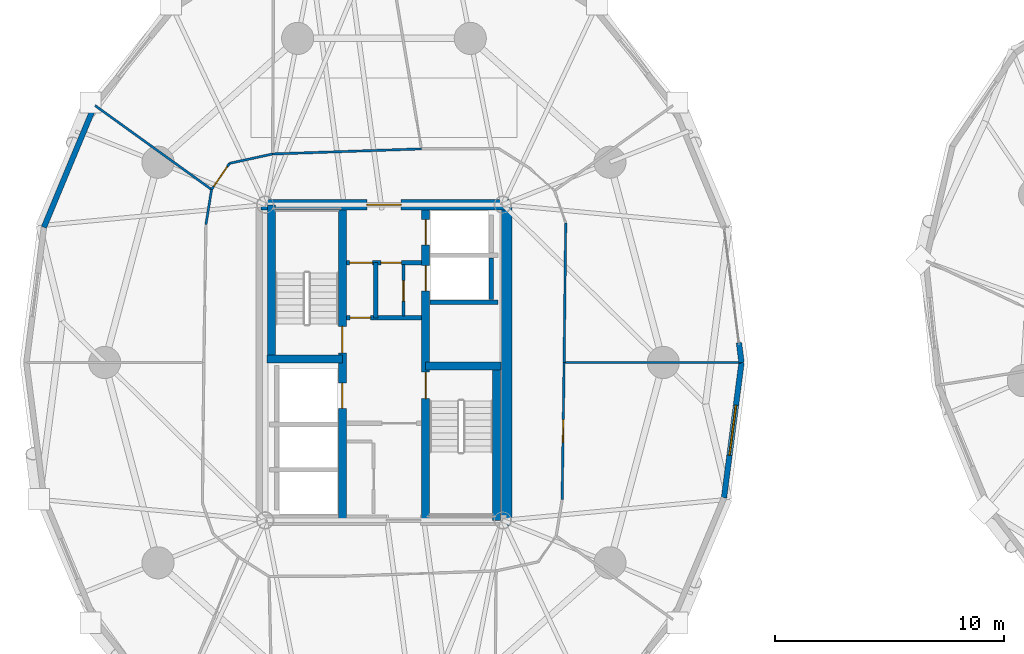
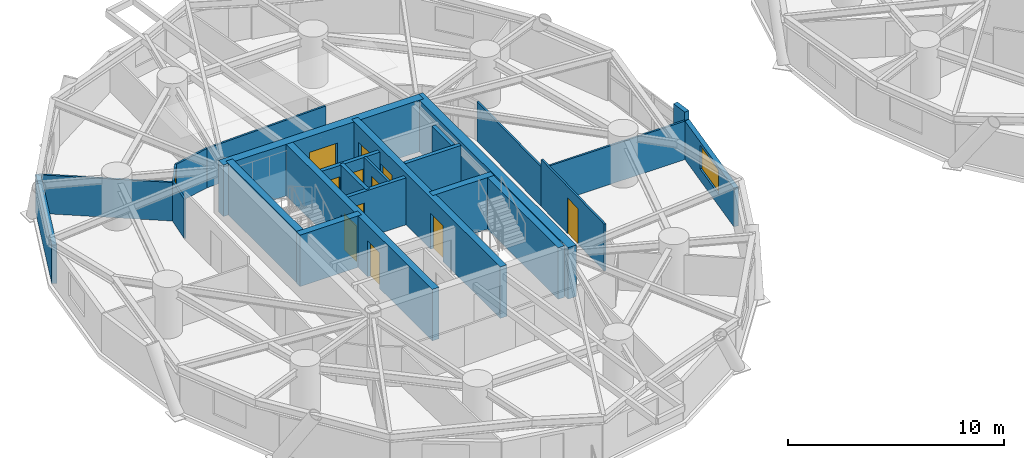
# One storey, part 11 of 18: 25 walls, 12 doors, 1 window, 13 openings.
"""IFC4 building model written with IfcOpenShell, lengths in metres."""

from ifc_helpers import new_model, si_unit, direction, frame, frame_2d, origin, place, context, subcontext, project, spatial, rectangle, extrude, source, transform, mapped, material, layer, layer_set, type_object, element, fill, save


model = new_model("IFC4")

# Units and contexts
model_context = context("Model", 3, precision=1e-05, world=origin(), true_north=direction((0.0, 1.0)))
body_context = subcontext(model_context, "Body", "Model", "MODEL_VIEW")
ifc_project = project(units=[si_unit("LENGTHUNIT", "METRE"), si_unit("AREAUNIT", "SQUARE_METRE"), si_unit("VOLUMEUNIT", "CUBIC_METRE"), si_unit("PLANEANGLEUNIT", "RADIAN"), si_unit("MASSUNIT", "GRAM", prefix="KILO")], contexts=[model_context])

# Site, building, storey
site_placement = place(None, origin())
site = spatial("IfcSite", under=ifc_project, at=site_placement, CompositionType="ELEMENT")
building_placement = place(site_placement, origin())
building = spatial("IfcBuilding", under=site, at=building_placement, Name="Cununo Teusaquillo Station Towers", CompositionType="ELEMENT")
storey_placement = place(building_placement, frame((0.0, 0.0, 102.159912109375)))
storey = spatial("IfcBuildingStorey", under=building, at=storey_placement, Name="L32", CompositionType="ELEMENT", Elevation=102.159912109375)

# Walls
ifc_material_1 = material(Name="Concrete C50/60", Category="concrete")
ifc_layer_1 = layer(ifc_material_1, 0.199951171875)
ifc_layer_set_1 = layer_set([ifc_layer_1], Name="Concrete C50/60")
wall_type_1 = type_object("IfcWallType", Name="WL-CORE-200", PredefinedType="SHEAR", material=ifc_layer_set_1)
wall_1_placement = place(storey_placement, frame((18.510009765625, 27.1298828125, 0.0), z_axis=(0.0, 0.0, 1.0), x_axis=(1.0, 0.0, 0.0)))
element("IfcWall", 1, at=wall_1_placement, inside=storey, type_object=wall_type_1, Name="L32 Tower A Low-Rise Lift Hoistway South Shear Wall", PredefinedType="SHEAR", context=body_context, shape_type="SweptSolid", body=[
    extrude(rectangle(XDim=2.969970703125, YDim=0.199951171875, at=frame_2d((1.48486328125, 0.0))), origin(), (0.0, 0.0, 1.0), 2.91015625),
])
wall_2_placement = place(storey_placement, frame((21.179931640625, 27.25, 0.0), z_axis=(0.0, 0.0, 1.0), x_axis=(0.0, 1.0, 0.0)))
element("IfcWall", 2, at=wall_2_placement, inside=storey, type_object=wall_type_1, Name="L32 Tower A Low-Rise Lift 1 Shaft Rear Shear Wall", PredefinedType="SHEAR", context=body_context, shape_type="SweptSolid", body=[
    extrude(rectangle(XDim=1.804931640625, YDim=0.199951171875, at=frame_2d((0.90234375, 0.0))), origin(), (0.0, 0.0, 1.0), 2.91015625),
])

# Wall, openings, doors
ifc_material_2 = material(Name="Concrete C50/60", Category="concrete")
ifc_layer_2 = layer(ifc_material_2, 0.35009765625)
ifc_layer_set_2 = layer_set([ifc_layer_2], Name="Concrete C50/60")
wall_type_2 = type_object("IfcWallType", Name="WL-CORE-350", PredefinedType="SHEAR", material=ifc_layer_set_2)
wall_3_placement = place(storey_placement, frame((14.68505859375, 17.625, 0.0), z_axis=(0.0, 0.0, 1.0), x_axis=(0.0, 1.0, 0.0)))
wall_3 = element("IfcWall", 3, at=wall_3_placement, inside=storey, type_object=wall_type_2, Name="L32 Tower A Core Shear Wall IW", PredefinedType="SHEAR", context=body_context, shape_type="SweptSolid", body=[
    extrude(rectangle(XDim=13.75, YDim=0.35009765625, at=frame_2d((6.875, 0.0))), origin(), (0.0, 0.0, 1.0), 2.91015625),
])
shared_shape_1 = source(origin(), body_context, "Body", "SweptSolid", [
    extrude(rectangle(XDim=1.10009765625, YDim=2.014892578125, at=frame_2d((0.550048828125, 1.00732421875))), frame((0.0, 0.18505859375, 0.0), z_axis=(0.0, -1.0, 0.0), x_axis=(1.0, 0.0, 0.0)), (0.0, 0.0, 1.0), 0.3701171875),
])
opening_1_placement = place(wall_3_placement, frame((4.875, 0.0, 0.0)))
opening_1 = element("IfcOpeningElement", 4, at=opening_1_placement, cuts=wall_3, Name="Opening LD-01", PredefinedType="OPENING", context=body_context, shape_type="MappedRepresentation", body=[
    mapped(shared_shape_1, transform((0.0, 0.0, 0.0), x_axis=(1.0, 0.0, 0.0), y_axis=(0.0, 1.0, 0.0), z_axis=(0.0, 0.0, 1.0), scale=1.0)),
])
shared_shape_2 = source(origin(), body_context, "Body", "SweptSolid", [
    extrude(rectangle(XDim=1.14990234375, YDim=2.02001953125, at=frame_2d((0.574951171875, 1.010009765625))), frame((0.0, 0.18505859375, 0.0), z_axis=(0.0, -1.0, 0.0), x_axis=(1.0, 0.0, 0.0)), (0.0, 0.0, 1.0), 0.3701171875),
])
opening_2_placement = place(wall_3_placement, frame((7.294921875, 0.0, 0.0)))
opening_2 = element("IfcOpeningElement", 5, at=opening_2_placement, cuts=wall_3, Name="Opening D-ST1", PredefinedType="OPENING", context=body_context, shape_type="MappedRepresentation", body=[
    mapped(shared_shape_2, transform((0.0, 0.0, 0.0), x_axis=(1.0, 0.0, 0.0), y_axis=(0.0, 1.0, 0.0), z_axis=(0.0, 0.0, 1.0), scale=1.0)),
])
ifc_material_3 = material(Name="Galvanised fire-rated hollow steel door assembly", Category="steel")
door_type_1 = type_object("IfcDoorType", Name="DR-LIFT-1100", OperationType="SLIDING_TO_LEFT", PredefinedType="DOOR", material=ifc_material_3)
shared_shape_3 = source(origin(), body_context, "Body", "SweptSolid", [
    extrude(rectangle(XDim=1.10009765625, YDim=2.014892578125, at=frame_2d((0.550048828125, 1.00732421875))), frame((0.0, 0.02490234375, 0.0), z_axis=(0.0, -1.0, 0.0), x_axis=(1.0, 0.0, 0.0)), (0.0, 0.0, 1.0), 0.050048828125),
])
door_1_placement = place(opening_1_placement, origin())
door_1 = element("IfcDoor", 6, at=door_1_placement, inside=storey, type_object=door_type_1, Name="L32 Lift FL-T1 Sliding Landing Door", OperationType="SLIDING_TO_LEFT", OverallHeight=2.014892578125, OverallWidth=1.10009765625, PredefinedType="DOOR", context=body_context, shape_type="MappedRepresentation", body=[
    mapped(shared_shape_3, transform((0.0, 0.0, 0.0), x_axis=(1.0, 0.0, 0.0), y_axis=(0.0, 1.0, 0.0), z_axis=(0.0, 0.0, 1.0), scale=1.0)),
])
fill(opening_1, door_1)
ifc_material_4 = material(Name="Galvanised fire-rated hollow steel door assembly", Category="steel")
door_type_2 = type_object("IfcDoorType", Name="DR-STAIR-1150", OperationType="NOTDEFINED", PredefinedType="DOOR", material=ifc_material_4)
shared_shape_4 = source(origin(), body_context, "Body", "SweptSolid", [
    extrude(rectangle(XDim=1.14990234375, YDim=2.02001953125, at=frame_2d((0.574951171875, 1.010009765625))), frame((0.0, 0.02490234375, 0.0), z_axis=(0.0, -1.0, 0.0), x_axis=(1.0, 0.0, 0.0)), (0.0, 0.0, 1.0), 0.050048828125),
])
door_2_placement = place(opening_2_placement, origin())
door_2 = element("IfcDoor", 7, at=door_2_placement, inside=storey, type_object=door_type_2, Name="L32 Tower A Exit Stair 1 Fire Door", OperationType="SINGLE_SWING_RIGHT", OverallHeight=2.02001953125, OverallWidth=1.14990234375, PredefinedType="DOOR", context=body_context, shape_type="MappedRepresentation", body=[
    mapped(shared_shape_4, transform((0.0, 0.0, 0.0), x_axis=(1.0, 0.0, 0.0), y_axis=(0.0, 1.0, 0.0), z_axis=(0.0, 0.0, 1.0), scale=1.0)),
])
fill(opening_2, door_2)

wall_4_placement = place(storey_placement, frame((18.31494140625, 17.625, 0.0), z_axis=(0.0, 0.0, 1.0), x_axis=(0.0, 1.0, 0.0)))
wall_4 = element("IfcWall", 8, at=wall_4_placement, inside=storey, type_object=wall_type_2, Name="L32 Tower A Core Shear Wall IE", PredefinedType="SHEAR", context=body_context, shape_type="SweptSolid", body=[
    extrude(rectangle(XDim=13.75, YDim=0.35009765625, at=frame_2d((6.875, 0.0))), origin(), (0.0, 0.0, 1.0), 2.91015625),
])
opening_3_placement = place(wall_4_placement, frame((10.0, 0.0, 0.0)))
opening_3 = element("IfcOpeningElement", 9, at=opening_3_placement, cuts=wall_4, Name="Opening LD-01", PredefinedType="OPENING", context=body_context, shape_type="MappedRepresentation", body=[
    mapped(shared_shape_1, transform((0.0, 0.0, 0.0), x_axis=(1.0, 0.0, 0.0), y_axis=(0.0, 1.0, 0.0), z_axis=(0.0, 0.0, 1.0), scale=1.0)),
])
opening_4_placement = place(wall_4_placement, frame((12.0, 0.0, 0.0)))
opening_4 = element("IfcOpeningElement", 10, at=opening_4_placement, cuts=wall_4, Name="Opening LD-01", PredefinedType="OPENING", context=body_context, shape_type="MappedRepresentation", body=[
    mapped(shared_shape_1, transform((0.0, 0.0, 0.0), x_axis=(1.0, 0.0, 0.0), y_axis=(0.0, 1.0, 0.0), z_axis=(0.0, 0.0, 1.0), scale=1.0)),
])
opening_5_placement = place(wall_4_placement, frame((5.304931640625, 0.0, 0.0)))
opening_5 = element("IfcOpeningElement", 11, at=opening_5_placement, cuts=wall_4, Name="Opening D-ST1", PredefinedType="OPENING", context=body_context, shape_type="MappedRepresentation", body=[
    mapped(shared_shape_2, transform((0.0, 0.0, 0.0), x_axis=(1.0, 0.0, 0.0), y_axis=(0.0, 1.0, 0.0), z_axis=(0.0, 0.0, 1.0), scale=1.0)),
])
door_3_placement = place(opening_3_placement, origin())
door_3 = element("IfcDoor", 12, at=door_3_placement, inside=storey, type_object=door_type_1, Name="L32 Lift PL-T1-L1 Sliding Landing Door", OperationType="SLIDING_TO_LEFT", OverallHeight=2.014892578125, OverallWidth=1.10009765625, PredefinedType="DOOR", context=body_context, shape_type="MappedRepresentation", body=[
    mapped(shared_shape_3, transform((0.0, 0.0, 0.0), x_axis=(1.0, 0.0, 0.0), y_axis=(0.0, 1.0, 0.0), z_axis=(0.0, 0.0, 1.0), scale=1.0)),
])
fill(opening_3, door_3)
door_4_placement = place(opening_4_placement, origin())
door_4 = element("IfcDoor", 13, at=door_4_placement, inside=storey, type_object=door_type_1, Name="L32 Lift PL-T1-L2 Sliding Landing Door", OperationType="SLIDING_TO_RIGHT", OverallHeight=2.014892578125, OverallWidth=1.10009765625, PredefinedType="DOOR", context=body_context, shape_type="MappedRepresentation", body=[
    mapped(shared_shape_3, transform((0.0, 0.0, 0.0), x_axis=(1.0, 0.0, 0.0), y_axis=(0.0, 1.0, 0.0), z_axis=(0.0, 0.0, 1.0), scale=1.0)),
])
fill(opening_4, door_4)
door_5_placement = place(opening_5_placement, origin())
door_5 = element("IfcDoor", 14, at=door_5_placement, inside=storey, type_object=door_type_2, Name="L32 Tower A Exit Stair 2 Fire Door", OperationType="SINGLE_SWING_LEFT", OverallHeight=2.02001953125, OverallWidth=1.14990234375, PredefinedType="DOOR", context=body_context, shape_type="MappedRepresentation", body=[
    mapped(shared_shape_4, transform((0.0, 0.0, 0.0), x_axis=(1.0, 0.0, 0.0), y_axis=(0.0, 1.0, 0.0), z_axis=(0.0, 0.0, 1.0), scale=1.0)),
])
fill(opening_5, door_5)

# Walls
wall_5_placement = place(storey_placement, frame((11.594970703125, 24.655029296875, 0.0), z_axis=(0.0, 0.0, 1.0), x_axis=(0.0, 1.0, 0.0)))
element("IfcWall", 15, at=wall_5_placement, inside=storey, type_object=wall_type_2, Name="L32 Tower A Core Shear Wall ST1W", PredefinedType="SHEAR", context=body_context, shape_type="SweptSolid", body=[
    extrude(rectangle(XDim=6.719970703125, YDim=0.35009765625, at=frame_2d((3.35986328125, 0.0))), origin(), (0.0, 0.0, 1.0), 2.91015625),
])
wall_6_placement = place(storey_placement, frame((11.39990234375, 24.655029296875, 0.0), z_axis=(0.0, 0.0, 1.0), x_axis=(1.0, 0.0, 0.0)))
element("IfcWall", 16, at=wall_6_placement, inside=storey, type_object=wall_type_2, Name="L32 Tower A Core Shear Wall ST1S", PredefinedType="SHEAR", context=body_context, shape_type="SweptSolid", body=[
    extrude(rectangle(XDim=3.28515625, YDim=0.35009765625, at=frame_2d((1.642578125, 0.0))), origin(), (0.0, 0.0, 1.0), 2.91015625),
])
wall_7_placement = place(storey_placement, frame((21.405029296875, 17.625, 0.0), z_axis=(0.0, 0.0, 1.0), x_axis=(0.0, 1.0, 0.0)))
element("IfcWall", 17, at=wall_7_placement, inside=storey, type_object=wall_type_2, Name="L32 Tower A Core Shear Wall ST2E", PredefinedType="SHEAR", context=body_context, shape_type="SweptSolid", body=[
    extrude(rectangle(XDim=6.719970703125, YDim=0.35009765625, at=frame_2d((3.35986328125, 0.0))), origin(), (0.0, 0.0, 1.0), 2.91015625),
])
wall_8_placement = place(storey_placement, frame((18.31494140625, 24.344970703125, 0.0), z_axis=(0.0, 0.0, 1.0), x_axis=(1.0, 0.0, 0.0)))
element("IfcWall", 18, at=wall_8_placement, inside=storey, type_object=wall_type_2, Name="L32 Tower A Core Shear Wall ST2N", PredefinedType="SHEAR", context=body_context, shape_type="SweptSolid", body=[
    extrude(rectangle(XDim=3.28515625, YDim=0.35009765625, at=frame_2d((1.642578125, 0.0))), origin(), (0.0, 0.0, 1.0), 2.91015625),
])
ifc_material_5 = material(Name="Concrete C60/75", Category="concrete")
ifc_layer_3 = layer(ifc_material_5, 0.449951171875)
ifc_layer_set_3 = layer_set([ifc_layer_3], Name="Concrete C60/75")
wall_type_3 = type_object("IfcWallType", Name="WL-CORE-450", PredefinedType="SHEAR", material=ifc_layer_set_3)
wall_9_placement = place(storey_placement, frame((21.85009765625, 17.39990234375, 0.0), z_axis=(0.0, 0.0, 1.0), x_axis=(0.0, 1.0, 0.0)))
element("IfcWall", 19, at=wall_9_placement, inside=storey, type_object=wall_type_3, Name="L32 Tower A Core Shear Wall E", PredefinedType="SHEAR", context=body_context, shape_type="SweptSolid", body=[
    extrude(rectangle(XDim=14.2001953125, YDim=0.449951171875, at=frame_2d((7.10009765625, 0.0))), origin(), (0.0, 0.0, 1.0), 2.91015625),
])

# Wall, opening, door
wall_10_placement = place(storey_placement, frame((11.14990234375, 31.375, 0.0), z_axis=(0.0, 0.0, 1.0), x_axis=(1.0, 0.0, 0.0)))
wall_10 = element("IfcWall", 20, at=wall_10_placement, inside=storey, type_object=wall_type_3, Name="L32 Tower A Core Shear Wall N", PredefinedType="SHEAR", context=body_context, shape_type="SweptSolid", body=[
    extrude(rectangle(XDim=10.7001953125, YDim=0.449951171875, at=frame_2d((5.35009765625, 0.0))), origin(), (0.0, 0.0, 1.0), 2.91015625),
])
shared_shape_5 = source(origin(), body_context, "Body", "SweptSolid", [
    extrude(rectangle(XDim=1.5, YDim=2.02001953125, at=frame_2d((0.75, 1.010009765625))), frame((0.0, 0.23486328125, 0.0), z_axis=(0.0, -1.0, 0.0), x_axis=(1.0, 0.0, 0.0)), (0.0, 0.0, 1.0), 0.469970703125),
])
opening_6_placement = place(wall_10_placement, frame((4.60009765625, 0.0, 0.0)))
opening_6 = element("IfcOpeningElement", 21, at=opening_6_placement, cuts=wall_10, Name="Opening D-LB1", PredefinedType="OPENING", context=body_context, shape_type="MappedRepresentation", body=[
    mapped(shared_shape_5, transform((0.0, 0.0, 0.0), x_axis=(1.0, 0.0, 0.0), y_axis=(0.0, 1.0, 0.0), z_axis=(0.0, 0.0, 1.0), scale=1.0)),
])
ifc_material_6 = material(Name="Galvanised fire-rated hollow steel door assembly", Category="steel")
door_type_3 = type_object("IfcDoorType", Name="DR-LOBBY-1500", OperationType="DOUBLE_DOOR_SINGLE_SWING", PredefinedType="DOOR", material=ifc_material_6)
shared_shape_6 = source(origin(), body_context, "Body", "SweptSolid", [
    extrude(rectangle(XDim=1.5, YDim=2.02001953125, at=frame_2d((0.75, 1.010009765625))), frame((0.0, 0.02490234375, 0.0), z_axis=(0.0, -1.0, 0.0), x_axis=(1.0, 0.0, 0.0)), (0.0, 0.0, 1.0), 0.050048828125),
])
door_6_placement = place(opening_6_placement, origin())
door_6 = element("IfcDoor", 22, at=door_6_placement, inside=storey, type_object=door_type_3, Name="L32 Tower A North Core Lift Lobby Door", OperationType="DOUBLE_DOOR_SINGLE_SWING", OverallHeight=2.02001953125, OverallWidth=1.5, PredefinedType="DOOR", context=body_context, shape_type="MappedRepresentation", body=[
    mapped(shared_shape_6, transform((0.0, 0.0, 0.0), x_axis=(1.0, 0.0, 0.0), y_axis=(0.0, 1.0, 0.0), z_axis=(0.0, 0.0, 1.0), scale=1.0)),
])
fill(opening_6, door_6)

# Walls
ifc_material_7 = material(Name="Precast concrete C40/50", Category="concrete")
ifc_layer_4 = layer(ifc_material_7, 0.239990234375)
ifc_layer_set_4 = layer_set([ifc_layer_4], Name="Precast concrete C40/50")
wall_type_4 = type_object("IfcWallType", Name="WL-EXT-240", PredefinedType="SOLIDWALL", material=ifc_layer_set_4)
wall_11_placement = place(storey_placement, frame((31.96923828125, 25.36279296875, 0.0), z_axis=(0.0, 0.0, 1.0), x_axis=(0.128523364007, -0.991706481225, 0.0)))
element("IfcWall", 23, at=wall_11_placement, inside=storey, type_object=wall_type_4, Name="L32 Tower A Column Pier Cladding Wall C00-PB", PredefinedType="SOLIDWALL", context=body_context, shape_type="SweptSolid", body=[
    extrude(rectangle(XDim=0.8701171875, YDim=0.239990234375, at=frame_2d((0.43505859375, 0.0))), origin(), (0.0, 0.0, 1.0), 2.655029296875),
])
wall_12_placement = place(storey_placement, frame((1.681640625, 30.39306640625, 0.0), z_axis=(0.0, 0.0, 1.0), x_axis=(0.384344417632, 0.923189779317, 0.0)))
element("IfcWall", 24, at=wall_12_placement, inside=storey, type_object=wall_type_4, Name="L32 Tower A Exterior Facade Wall C08", PredefinedType="SOLIDWALL", context=body_context, shape_type="SweptSolid", body=[
    extrude(rectangle(XDim=5.75830078125, YDim=0.239990234375, at=frame_2d((2.879150390625, 0.0))), origin(), (0.0, 0.0, 1.0), 2.17919921875),
])

# Wall, opening, window
wall_13_placement = place(storey_placement, frame((32.0810546875, 24.5, 0.0), z_axis=(0.0, 0.0, 1.0), x_axis=(-0.128351991996, -0.991728675672, 0.0)))
wall_13 = element("IfcWall", 25, at=wall_13_placement, inside=storey, type_object=wall_type_4, Name="L32 Tower A Exterior Facade Wall C19", PredefinedType="SOLIDWALL", context=body_context, shape_type="SweptSolid", body=[
    extrude(rectangle(XDim=5.942138671875, YDim=0.239990234375, at=frame_2d((2.97119140625, 0.0))), origin(), (0.0, 0.0, 1.0), 2.17919921875),
])
shared_shape_7 = source(origin(), body_context, "Body", "SweptSolid", [
    extrude(rectangle(XDim=2.199951171875, YDim=1.35009765625, at=frame_2d((1.10009765625, 0.675048828125))), frame((0.0, 0.1298828125, 0.0), z_axis=(0.0, -1.0, 0.0), x_axis=(1.0, 0.0, 0.0)), (0.0, 0.0, 1.0), 0.260009765625),
])
opening_7_placement = place(wall_13_placement, frame((1.87109375, 0.0, 0.64990234375)))
opening_7 = element("IfcOpeningElement", 26, at=opening_7_placement, cuts=wall_13, Name="Opening WN-01", PredefinedType="OPENING", context=body_context, shape_type="MappedRepresentation", body=[
    mapped(shared_shape_7, transform((0.0, 0.0, 0.0), x_axis=(1.0, 0.0, 0.0), y_axis=(0.0, 1.0, 0.0), z_axis=(0.0, 0.0, 1.0), scale=1.0)),
])
ifc_material_8 = material(Name="Ceramic-fritted dark low-E double glazing", Category="glass")
window_type = type_object("IfcWindowType", Name="WIN-FRIT-2200", PartitioningType="DOUBLE_PANEL_VERTICAL", PredefinedType="WINDOW", material=ifc_material_8)
shared_shape_8 = source(origin(), body_context, "Body", "SweptSolid", [
    extrude(rectangle(XDim=2.199951171875, YDim=1.35009765625, at=frame_2d((1.10009765625, 0.675048828125))), frame((0.0, 0.030029296875, 0.0), z_axis=(0.0, -1.0, 0.0), x_axis=(1.0, 0.0, 0.0)), (0.0, 0.0, 1.0), 0.06005859375),
])
window_placement = place(opening_7_placement, origin())
window = element("IfcWindow", 27, at=window_placement, inside=storey, type_object=window_type, Name="L32 Tower A Facade Window C19", OverallHeight=1.35009765625, OverallWidth=2.199951171875, PartitioningType="DOUBLE_PANEL_VERTICAL", PredefinedType="WINDOW", context=body_context, shape_type="MappedRepresentation", body=[
    mapped(shared_shape_8, transform((0.0, 0.0, 0.0), x_axis=(1.0, 0.0, 0.0), y_axis=(0.0, 1.0, 0.0), z_axis=(0.0, 0.0, 1.0), scale=1.0)),
])
fill(opening_7, window)

# Walls
ifc_material_9 = material(Name="Fire-rated gypsum plasterboard partition assembly", Category="gypsum")
ifc_layer_5 = layer(ifc_material_9, 0.10009765625)
ifc_layer_set_5 = layer_set([ifc_layer_5], Name="Fire-rated gypsum plasterboard partition assembly")
wall_type_5 = type_object("IfcWallType", Name="WL-PART-100", PredefinedType="MOVABLE", material=ifc_layer_set_5)
wall_14_placement = place(storey_placement, frame((24.35009765625, 24.5, 0.0), z_axis=(0.0, 0.0, 1.0), x_axis=(0.011520250275, 0.999933639715, 0.0)))
element("IfcWall", 28, at=wall_14_placement, inside=storey, type_object=wall_type_5, Name="L32 Tower A Corridor Ring Wall C00", PredefinedType="MOVABLE", context=body_context, shape_type="SweptSolid", body=[
    extrude(rectangle(XDim=6.082275390625, YDim=0.10009765625, at=frame_2d((3.041015625, 0.0))), origin(), (0.0, 0.0, 1.0), 2.22509765625),
])
wall_15_placement = place(storey_placement, frame((18.1328125, 33.8095703125, 0.0), z_axis=(0.0, 0.0, 1.0), x_axis=(-0.999415793323, -0.03417706916, 0.0)))
element("IfcWall", 29, at=wall_15_placement, inside=storey, type_object=wall_type_5, Name="L32 Tower A Corridor Ring Wall C05", PredefinedType="MOVABLE", context=body_context, shape_type="SweptSolid", body=[
    extrude(rectangle(XDim=6.486328125, YDim=0.10009765625, at=frame_2d((3.2431640625, 0.0))), origin(), (0.0, 0.0, 1.0), 2.22509765625),
])
wall_16_placement = place(storey_placement, frame((11.650390625, 33.587890625, 0.0), z_axis=(0.0, 0.0, 1.0), x_axis=(-0.977141987047, -0.212587716366, 0.0)))
element("IfcWall", 30, at=wall_16_placement, inside=storey, type_object=wall_type_5, Name="L32 Tower A Corridor Ring Wall C06", PredefinedType="MOVABLE", context=body_context, shape_type="SweptSolid", body=[
    extrude(rectangle(XDim=1.923583984375, YDim=0.10009765625, at=frame_2d((0.9619140625, 0.0))), origin(), (0.0, 0.0, 1.0), 2.22509765625),
])

# Wall, opening, door
wall_17_placement = place(storey_placement, frame((9.770751953125, 33.178955078125, 0.0), z_axis=(0.0, 0.0, 1.0), x_axis=(-0.56664857412, -0.823959582412, 0.0)))
wall_17 = element("IfcWall", 31, at=wall_17_placement, inside=storey, type_object=wall_type_5, Name="L32 Tower A Corridor Ring Wall C07", PredefinedType="MOVABLE", context=body_context, shape_type="SweptSolid", body=[
    extrude(rectangle(XDim=1.38427734375, YDim=0.10009765625, at=frame_2d((0.692138671875, 0.0))), origin(), (0.0, 0.0, 1.0), 2.22509765625),
])
shared_shape_9 = source(origin(), body_context, "Body", "SweptSolid", [
    extrude(rectangle(XDim=1.050048828125, YDim=2.014892578125, at=frame_2d((0.52490234375, 1.00732421875))), frame((0.0, 0.06005859375, 0.0), z_axis=(0.0, -1.0, 0.0), x_axis=(1.0, 0.0, 0.0)), (0.0, 0.0, 1.0), 0.1201171875),
])
opening_8_placement = place(wall_17_placement, frame((0.167236328125, 0.0, 0.0)))
opening_8 = element("IfcOpeningElement", 32, at=opening_8_placement, cuts=wall_17, Name="Opening D-SU1", PredefinedType="OPENING", context=body_context, shape_type="MappedRepresentation", body=[
    mapped(shared_shape_9, transform((0.0, 0.0, 0.0), x_axis=(1.0, 0.0, 0.0), y_axis=(0.0, 1.0, 0.0), z_axis=(0.0, 0.0, 1.0), scale=1.0)),
])
ifc_material_10 = material(Name="Acoustic solid-core hardwood leaf assembly", Category="wood")
door_type_4 = type_object("IfcDoorType", Name="DR-SUITE-1050", OperationType="NOTDEFINED", PredefinedType="DOOR", material=ifc_material_10)
shared_shape_10 = source(origin(), body_context, "Body", "SweptSolid", [
    extrude(rectangle(XDim=1.050048828125, YDim=2.014892578125, at=frame_2d((0.52490234375, 1.00732421875))), frame((0.0, 0.02490234375, 0.0), z_axis=(0.0, -1.0, 0.0), x_axis=(1.0, 0.0, 0.0)), (0.0, 0.0, 1.0), 0.050048828125),
])
door_7_placement = place(opening_8_placement, origin())
door_7 = element("IfcDoor", 33, at=door_7_placement, inside=storey, type_object=door_type_4, Name="L32 Tower A Compliance & Audit Office Entrance Door", OperationType="SINGLE_SWING_RIGHT", OverallHeight=2.014892578125, OverallWidth=1.050048828125, PredefinedType="DOOR", context=body_context, shape_type="MappedRepresentation", body=[
    mapped(shared_shape_10, transform((0.0, 0.0, 0.0), x_axis=(1.0, 0.0, 0.0), y_axis=(0.0, 1.0, 0.0), z_axis=(0.0, 0.0, 1.0), scale=1.0)),
])
fill(opening_8, door_7)

# Wall
wall_18_placement = place(storey_placement, frame((8.986328125, 32.038330078125, 0.0), z_axis=(0.0, 0.0, 1.0), x_axis=(-0.158224526738, -0.987403159372, 0.0)))
element("IfcWall", 34, at=wall_18_placement, inside=storey, type_object=wall_type_5, Name="L32 Tower A Corridor Ring Wall C08", PredefinedType="MOVABLE", context=body_context, shape_type="SweptSolid", body=[
    extrude(rectangle(XDim=1.546142578125, YDim=0.10009765625, at=frame_2d((0.77294921875, 0.0))), origin(), (0.0, 0.0, 1.0), 2.22509765625),
])

# Wall, opening, door
wall_19_placement = place(storey_placement, frame((24.264404296875, 18.52880859375, 0.0), z_axis=(0.0, 0.0, 1.0), x_axis=(0.014349654938, 0.999897038401, 0.0)))
wall_19 = element("IfcWall", 35, at=wall_19_placement, inside=storey, type_object=wall_type_5, Name="L32 Tower A Corridor Ring Wall C19", PredefinedType="MOVABLE", context=body_context, shape_type="SweptSolid", body=[
    extrude(rectangle(XDim=5.971923828125, YDim=0.10009765625, at=frame_2d((2.98583984375, 0.0))), origin(), (0.0, 0.0, 1.0), 2.655029296875),
])
shared_shape_11 = source(origin(), body_context, "Body", "SweptSolid", [
    extrude(rectangle(XDim=1.0, YDim=2.014892578125, at=frame_2d((0.5, 1.00732421875))), frame((0.0, 0.06005859375, 0.0), z_axis=(0.0, -1.0, 0.0), x_axis=(1.0, 0.0, 0.0)), (0.0, 0.0, 1.0), 0.1201171875),
])
opening_9_placement = place(wall_19_placement, frame((2.486083984375, 0.0, 0.0)))
opening_9 = element("IfcOpeningElement", 36, at=opening_9_placement, cuts=wall_19, Name="Opening D-AC1", PredefinedType="OPENING", context=body_context, shape_type="MappedRepresentation", body=[
    mapped(shared_shape_11, transform((0.0, 0.0, 0.0), x_axis=(1.0, 0.0, 0.0), y_axis=(0.0, 1.0, 0.0), z_axis=(0.0, 0.0, 1.0), scale=1.0)),
])
ifc_material_11 = material(Name="Acoustic solid-core hardwood leaf assembly", Category="wood")
door_type_5 = type_object("IfcDoorType", Name="DR-ACC-1000", OperationType="NOTDEFINED", PredefinedType="DOOR", material=ifc_material_11)
shared_shape_12 = source(origin(), body_context, "Body", "SweptSolid", [
    extrude(rectangle(XDim=1.0, YDim=2.014892578125, at=frame_2d((0.5, 1.00732421875))), frame((0.0, 0.02490234375, 0.0), z_axis=(0.0, -1.0, 0.0), x_axis=(1.0, 0.0, 0.0)), (0.0, 0.0, 1.0), 0.050048828125),
])
door_8_placement = place(opening_9_placement, origin())
door_8 = element("IfcDoor", 37, at=door_8_placement, inside=storey, type_object=door_type_5, Name="L32 Tower A Public Accessible Restroom WC Entrance Door", OperationType="SINGLE_SWING_RIGHT", OverallHeight=2.014892578125, OverallWidth=1.0, PredefinedType="DOOR", context=body_context, shape_type="MappedRepresentation", body=[
    mapped(shared_shape_12, transform((0.0, 0.0, 0.0), x_axis=(1.0, 0.0, 0.0), y_axis=(0.0, 1.0, 0.0), z_axis=(0.0, 0.0, 1.0), scale=1.0)),
])
fill(opening_9, door_8)

# Walls
wall_20_placement = place(storey_placement, frame((24.35009765625, 24.5, 0.0), z_axis=(0.0, 0.0, 1.0), x_axis=(1.0, 0.0, 0.0)))
element("IfcWall", 38, at=wall_20_placement, inside=storey, type_object=wall_type_5, Name="L32 Tower A Radial Suite Partition R01", PredefinedType="MOVABLE", context=body_context, shape_type="SweptSolid", body=[
    extrude(rectangle(XDim=7.7109375, YDim=0.10009765625, at=frame_2d((3.85546875, 0.0))), origin(), (0.0, 0.0, 1.0), 2.17919921875),
])
wall_21_placement = place(storey_placement, frame((8.986328125, 32.038330078125, 0.0), z_axis=(0.0, 0.0, 1.0), x_axis=(-0.811184127106, 0.584790827502, 0.0)))
element("IfcWall", 39, at=wall_21_placement, inside=storey, type_object=wall_type_5, Name="L32 Tower A Radial Suite Partition R04", PredefinedType="MOVABLE", context=body_context, shape_type="SweptSolid", body=[
    extrude(rectangle(XDim=6.2568359375, YDim=0.10009765625, at=frame_2d((3.12841796875, 0.0))), origin(), (0.0, 0.0, 1.0), 2.17919921875),
])

# Wall, opening, door
ifc_material_12 = material(Name="Fire-rated gypsum plasterboard partition assembly", Category="gypsum")
ifc_layer_6 = layer(ifc_material_12, 0.125)
ifc_layer_set_6 = layer_set([ifc_layer_6], Name="Fire-rated gypsum plasterboard partition assembly")
wall_type_6 = type_object("IfcWallType", Name="WL-PART-125", PredefinedType="PARTITIONING", material=ifc_layer_set_6)
wall_22_placement = place(storey_placement, frame((17.35009765625, 26.52001953125, 0.0), z_axis=(0.0, 0.0, 1.0), x_axis=(0.0, 1.0, 0.0)))
wall_22 = element("IfcWall", 40, at=wall_22_placement, inside=storey, type_object=wall_type_6, Name="L32 Tower A Core Vertical Split Wall", PredefinedType="PARTITIONING", context=body_context, shape_type="SweptSolid", body=[
    extrude(rectangle(XDim=2.260009765625, YDim=0.125, at=frame_2d((1.1298828125, 0.0))), origin(), (0.0, 0.0, 1.0), 2.655029296875),
])
shared_shape_13 = source(origin(), body_context, "Body", "SweptSolid", [
    extrude(rectangle(XDim=0.89990234375, YDim=2.0048828125, at=frame_2d((0.449951171875, 1.00244140625))), frame((0.0, 0.072509765625, 0.0), z_axis=(0.0, -1.0, 0.0), x_axis=(1.0, 0.0, 0.0)), (0.0, 0.0, 1.0), 0.14501953125),
])
opening_10_placement = place(wall_22_placement, frame((0.64990234375, 0.0, 0.0)))
opening_10 = element("IfcOpeningElement", 41, at=opening_10_placement, cuts=wall_22, Name="Opening D-SR1", PredefinedType="OPENING", context=body_context, shape_type="MappedRepresentation", body=[
    mapped(shared_shape_13, transform((0.0, 0.0, 0.0), x_axis=(1.0, 0.0, 0.0), y_axis=(0.0, 1.0, 0.0), z_axis=(0.0, 0.0, 1.0), scale=1.0)),
])
ifc_material_13 = material(Name="Galvanised fire-rated hollow steel door assembly", Category="steel")
door_type_6 = type_object("IfcDoorType", Name="DR-STORE-900", OperationType="NOTDEFINED", PredefinedType="DOOR", material=ifc_material_13)
shared_shape_14 = source(origin(), body_context, "Body", "SweptSolid", [
    extrude(rectangle(XDim=0.89990234375, YDim=2.0048828125, at=frame_2d((0.449951171875, 1.00244140625))), frame((0.0, 0.02490234375, 0.0), z_axis=(0.0, -1.0, 0.0), x_axis=(1.0, 0.0, 0.0)), (0.0, 0.0, 1.0), 0.050048828125),
])
door_9_placement = place(opening_10_placement, origin())
door_9 = element("IfcDoor", 42, at=door_9_placement, inside=storey, type_object=door_type_6, Name="L32 Tower A Core Electrical Room Door", OperationType="SINGLE_SWING_RIGHT", OverallHeight=2.0048828125, OverallWidth=0.89990234375, PredefinedType="DOOR", context=body_context, shape_type="MappedRepresentation", body=[
    mapped(shared_shape_14, transform((0.0, 0.0, 0.0), x_axis=(1.0, 0.0, 0.0), y_axis=(0.0, 1.0, 0.0), z_axis=(0.0, 0.0, 1.0), scale=1.0)),
])
fill(opening_10, door_9)

ifc_material_14 = material(Name="Fire-rated gypsum plasterboard partition assembly", Category="gypsum")
ifc_layer_7 = layer(ifc_material_14, 0.199951171875)
ifc_layer_set_7 = layer_set([ifc_layer_7], Name="Fire-rated gypsum plasterboard partition assembly")
wall_type_7 = type_object("IfcWallType", Name="WL-PART-200", PredefinedType="PARTITIONING", material=ifc_layer_set_7)
wall_23_placement = place(storey_placement, frame((14.860107421875, 26.449951171875, 0.0), z_axis=(0.0, 0.0, 1.0), x_axis=(1.0, 0.0, 0.0)))
wall_23 = element("IfcWall", 43, at=wall_23_placement, inside=storey, type_object=wall_type_7, Name="L32 Tower A Firefighting Lift Lobby North Fire Wall", PredefinedType="PARTITIONING", context=body_context, shape_type="SweptSolid", body=[
    extrude(rectangle(XDim=3.27978515625, YDim=0.199951171875, at=frame_2d((1.639892578125, 0.0))), origin(), (0.0, 0.0, 1.0), 2.655029296875),
])
shared_shape_15 = source(origin(), body_context, "Body", "SweptSolid", [
    extrude(rectangle(XDim=0.89990234375, YDim=2.0048828125, at=frame_2d((0.449951171875, 1.00244140625))), frame((0.0, 0.10986328125, 0.0), z_axis=(0.0, -1.0, 0.0), x_axis=(1.0, 0.0, 0.0)), (0.0, 0.0, 1.0), 0.219970703125),
])
opening_11_placement = place(wall_23_placement, frame((0.159912109375, 0.0, 0.0)))
opening_11 = element("IfcOpeningElement", 44, at=opening_11_placement, cuts=wall_23, Name="Opening D-SR1", PredefinedType="OPENING", context=body_context, shape_type="MappedRepresentation", body=[
    mapped(shared_shape_15, transform((0.0, 0.0, 0.0), x_axis=(1.0, 0.0, 0.0), y_axis=(0.0, 1.0, 0.0), z_axis=(0.0, 0.0, 1.0), scale=1.0)),
])
door_10_placement = place(opening_11_placement, origin())
door_10 = element("IfcDoor", 45, at=door_10_placement, inside=storey, type_object=door_type_6, Name="L32 Tower A Stair 1 Protected Vestibule South Door", OperationType="SINGLE_SWING_RIGHT", OverallHeight=2.0048828125, OverallWidth=0.89990234375, PredefinedType="DOOR", context=body_context, shape_type="MappedRepresentation", body=[
    mapped(shared_shape_14, transform((0.0, 0.0, 0.0), x_axis=(1.0, 0.0, 0.0), y_axis=(0.0, 1.0, 0.0), z_axis=(0.0, 0.0, 1.0), scale=1.0)),
])
fill(opening_11, door_10)

# Wall
wall_24_placement = place(storey_placement, frame((16.14990234375, 26.449951171875, 0.0), z_axis=(0.0, 0.0, 1.0), x_axis=(0.0, 1.0, 0.0)))
element("IfcWall", 46, at=wall_24_placement, inside=storey, type_object=wall_type_7, Name="L32 Tower A Stair 1 Vestibule Partition Wall", PredefinedType="PARTITIONING", context=body_context, shape_type="SweptSolid", body=[
    extrude(rectangle(XDim=2.400146484375, YDim=0.199951171875, at=frame_2d((1.2001953125, 0.0))), origin(), (0.0, 0.0, 1.0), 2.655029296875),
])

# Wall, openings, doors
wall_25_placement = place(storey_placement, frame((14.860107421875, 28.85009765625, 0.0), z_axis=(0.0, 0.0, 1.0), x_axis=(1.0, 0.0, 0.0)))
wall_25 = element("IfcWall", 47, at=wall_25_placement, inside=storey, type_object=wall_type_7, Name="L32 Tower A North Lift Lobby South Fire Wall", PredefinedType="PARTITIONING", context=body_context, shape_type="SweptSolid", body=[
    extrude(rectangle(XDim=3.27978515625, YDim=0.199951171875, at=frame_2d((1.639892578125, 0.0))), origin(), (0.0, 0.0, 1.0), 2.655029296875),
])
shared_shape_16 = source(origin(), body_context, "Body", "SweptSolid", [
    extrude(rectangle(XDim=1.0, YDim=2.014892578125, at=frame_2d((0.5, 1.00732421875))), frame((0.0, 0.10986328125, 0.0), z_axis=(0.0, -1.0, 0.0), x_axis=(1.0, 0.0, 0.0)), (0.0, 0.0, 1.0), 0.219970703125),
])
opening_12_placement = place(wall_25_placement, frame((0.139892578125, 0.0, 0.0)))
opening_12 = element("IfcOpeningElement", 48, at=opening_12_placement, cuts=wall_25, Name="Opening D-AC1", PredefinedType="OPENING", context=body_context, shape_type="MappedRepresentation", body=[
    mapped(shared_shape_16, transform((0.0, 0.0, 0.0), x_axis=(1.0, 0.0, 0.0), y_axis=(0.0, 1.0, 0.0), z_axis=(0.0, 0.0, 1.0), scale=1.0)),
])
opening_13_placement = place(wall_25_placement, frame((1.5, 0.0, 0.0)))
opening_13 = element("IfcOpeningElement", 49, at=opening_13_placement, cuts=wall_25, Name="Opening D-SR1", PredefinedType="OPENING", context=body_context, shape_type="MappedRepresentation", body=[
    mapped(shared_shape_15, transform((0.0, 0.0, 0.0), x_axis=(1.0, 0.0, 0.0), y_axis=(0.0, 1.0, 0.0), z_axis=(0.0, 0.0, 1.0), scale=1.0)),
])
door_11_placement = place(opening_13_placement, origin())
door_11 = element("IfcDoor", 50, at=door_11_placement, inside=storey, type_object=door_type_6, Name="L32 Tower A Core Housekeeping Store Door", OperationType="SINGLE_SWING_LEFT", OverallHeight=2.0048828125, OverallWidth=0.89990234375, PredefinedType="DOOR", context=body_context, shape_type="MappedRepresentation", body=[
    mapped(shared_shape_14, transform((0.0, 0.0, 0.0), x_axis=(1.0, 0.0, 0.0), y_axis=(0.0, 1.0, 0.0), z_axis=(0.0, 0.0, 1.0), scale=1.0)),
])
fill(opening_13, door_11)
door_12_placement = place(opening_12_placement, origin())
door_12 = element("IfcDoor", 51, at=door_12_placement, inside=storey, type_object=door_type_5, Name="L32 Tower A North Lift Lobby to Stair 1 Vestibule Door", OperationType="SINGLE_SWING_LEFT", OverallHeight=2.014892578125, OverallWidth=1.0, PredefinedType="DOOR", context=body_context, shape_type="MappedRepresentation", body=[
    mapped(shared_shape_12, transform((0.0, 0.0, 0.0), x_axis=(1.0, 0.0, 0.0), y_axis=(0.0, 1.0, 0.0), z_axis=(0.0, 0.0, 1.0), scale=1.0)),
])
fill(opening_12, door_12)

save(model, "model.ifc")
